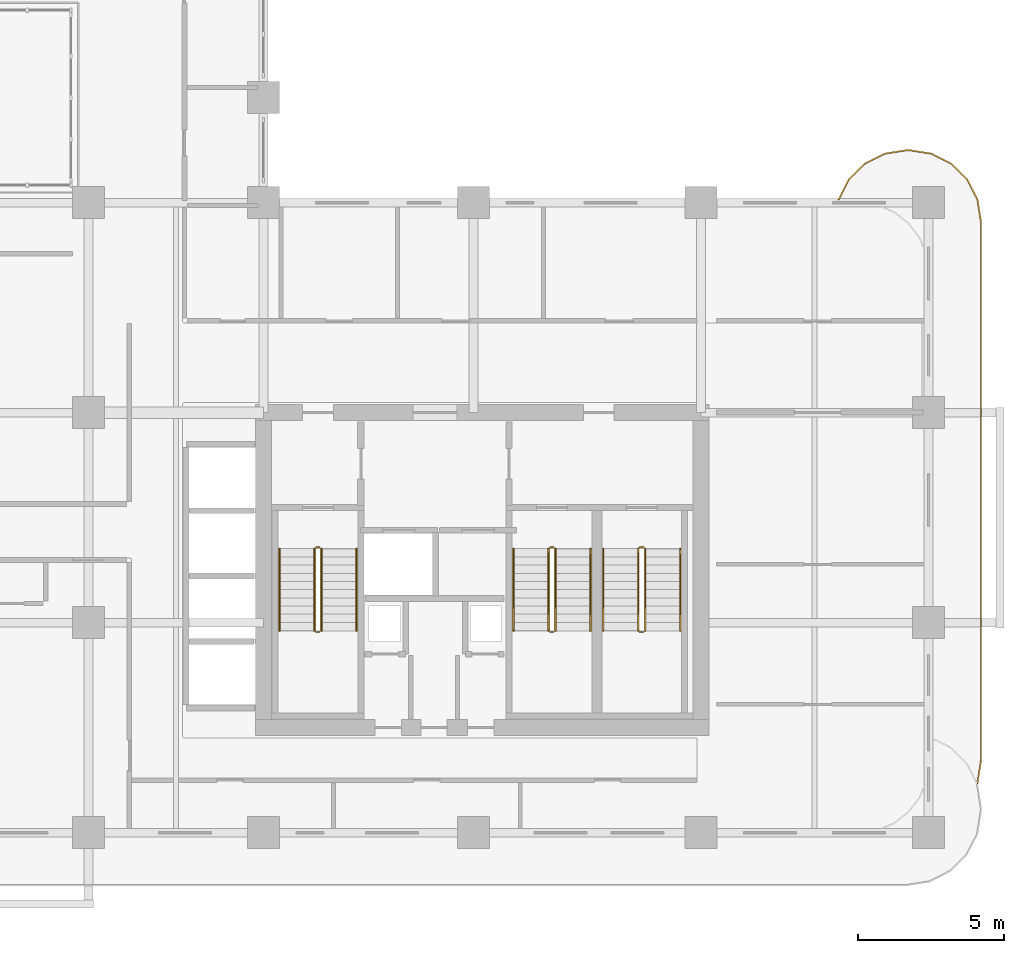
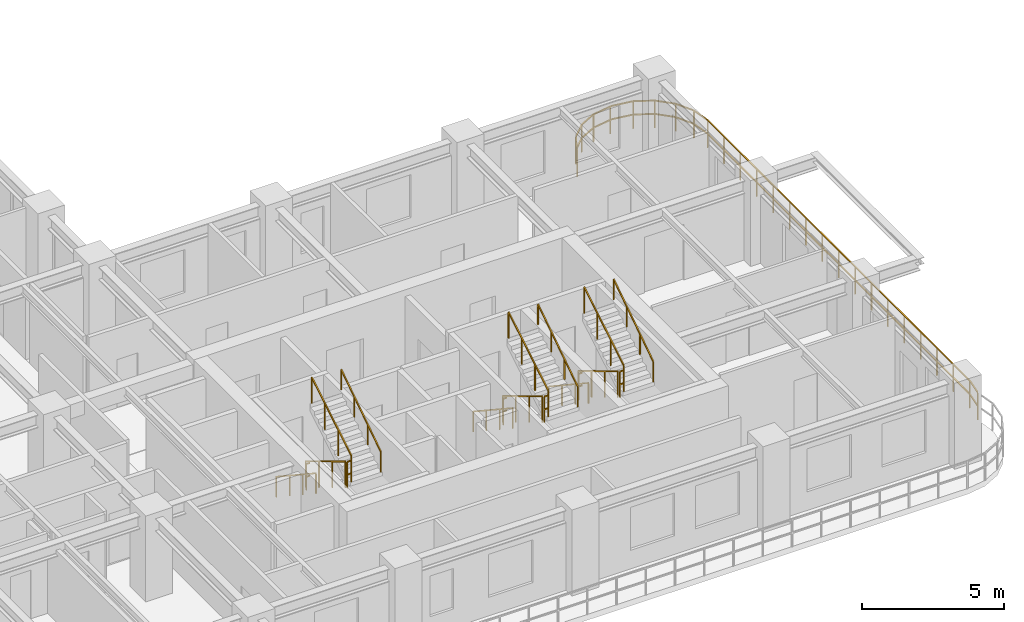
# One storey, part 20 of 22: 19 railings.
"""IFC4 building model written with IfcOpenShell, lengths in metres."""

from ifc_helpers import new_model, si_unit, derived_unit, direction, frame, origin, origin_2d, place, context, subcontext, project, spatial, rectangle, extrude, material, type_object, element, save


model = new_model("IFC4")

# Units and contexts
model_context = context("Model", 3, precision=1e-05, world=origin(), true_north=direction((0.0, 1.0)))
body_context = subcontext(model_context, "Body", "Model", "MODEL_VIEW")
ifc_project = project(units=[si_unit("LENGTHUNIT", "METRE"), si_unit("AREAUNIT", "SQUARE_METRE"), si_unit("VOLUMEUNIT", "CUBIC_METRE"), si_unit("PLANEANGLEUNIT", "RADIAN"), si_unit("MASSUNIT", "GRAM", prefix="KILO"), si_unit("THERMODYNAMICTEMPERATUREUNIT", "KELVIN"), si_unit("POWERUNIT", "WATT"), derived_unit("THERMALTRANSMITTANCEUNIT", [(si_unit("POWERUNIT", "WATT"), 1), (si_unit("AREAUNIT", "SQUARE_METRE"), -1), (si_unit("THERMODYNAMICTEMPERATUREUNIT", "KELVIN"), -1)])], contexts=[model_context])

# Site, building, storey
site_placement = place(None, origin())
site = spatial("IfcSite", under=ifc_project, at=site_placement, CompositionType="ELEMENT")
building_placement = place(site_placement, origin())
building = spatial("IfcBuilding", under=site, at=building_placement, Name="Zahravan Archway Hotel and Residences", CompositionType="ELEMENT")
storey_placement = place(building_placement, frame((0.0, 0.0, 80.5)))
storey = spatial("IfcBuildingStorey", under=building, at=storey_placement, Name="L19", CompositionType="ELEMENT", Elevation=80.5)

# Railings
ifc_material_1 = material(Name="Bronze & Laminated Glass Balustrade", Category="glass")
railing_type_1 = type_object("IfcRailingType", Name="RL-BAL-1200", PredefinedType="BALUSTRADE", material=ifc_material_1)
railing_1_placement = place(storey_placement, frame((54.52001953125, 21.70703125, 0.0)))
element("IfcRailing", 1, at=railing_1_placement, inside=storey, type_object=railing_type_1, Name="L19 Balustrade RL-SLB-BAL-L19-EA-1", PredefinedType="BALUSTRADE", context=body_context, shape_type="SweptSolid", body=[
    extrude(rectangle(XDim=0.048095703125, YDim=0.048095703125, at=origin_2d()), frame((0.0, 0.0, 1.17578125), z_axis=(0.453825591531, 0.891090529897, 0.0), x_axis=(-0.891090529897, 0.453825591531, 0.0)), (0.0, 0.0, 1.0), 0.7666015625),
    extrude(rectangle(XDim=0.048095703125, YDim=0.048095703125, at=origin_2d()), frame((0.0, 0.0, 0.60009765625), z_axis=(0.453825591531, 0.891090529897, 0.0), x_axis=(-0.891090529897, 0.453825591531, 0.0)), (0.0, 0.0, 1.0), 0.7666015625),
    extrude(rectangle(XDim=0.048095703125, YDim=0.048095703125, at=origin_2d()), frame((0.347900390625, 0.68310546875, 1.17578125), z_axis=(0.707106781187, 0.707106781187, 0.0), x_axis=(-0.707106781187, 0.707106781187, 0.0)), (0.0, 0.0, 1.0), 0.7666015625),
    extrude(rectangle(XDim=0.048095703125, YDim=0.048095703125, at=origin_2d()), frame((0.347900390625, 0.68310546875, 0.60009765625), z_axis=(0.707106781187, 0.707106781187, 0.0), x_axis=(-0.707106781187, 0.707106781187, 0.0)), (0.0, 0.0, 1.0), 0.7666015625),
    extrude(rectangle(XDim=0.048095703125, YDim=0.048095703125, at=origin_2d()), frame((0.889892578125, 1.22509765625, 1.17578125), z_axis=(0.891090529897, 0.453825591531, 0.0), x_axis=(-0.453825591531, 0.891090529897, 0.0)), (0.0, 0.0, 1.0), 0.7666015625),
    extrude(rectangle(XDim=0.048095703125, YDim=0.048095703125, at=origin_2d()), frame((0.889892578125, 1.22509765625, 0.60009765625), z_axis=(0.891090529897, 0.453825591531, 0.0), x_axis=(-0.453825591531, 0.891090529897, 0.0)), (0.0, 0.0, 1.0), 0.7666015625),
    extrude(rectangle(XDim=0.048095703125, YDim=0.048095703125, at=origin_2d()), frame((1.572998046875, 1.572998046875, 1.17578125), z_axis=(0.987695728695, 0.156387811283, 0.0), x_axis=(-0.156387811283, 0.987695728695, 0.0)), (0.0, 0.0, 1.0), 0.7666015625),
    extrude(rectangle(XDim=0.048095703125, YDim=0.048095703125, at=origin_2d()), frame((1.572998046875, 1.572998046875, 0.60009765625), z_axis=(0.987695728695, 0.156387811283, 0.0), x_axis=(-0.156387811283, 0.987695728695, 0.0)), (0.0, 0.0, 1.0), 0.7666015625),
    extrude(rectangle(XDim=0.048095703125, YDim=0.048095703125, at=origin_2d()), frame((2.330078125, 1.69287109375, 1.17578125), z_axis=(1.0, 0.0, 0.0), x_axis=(0.0, 1.0, 0.0)), (0.0, 0.0, 1.0), 0.099853515625),
    extrude(rectangle(XDim=0.048095703125, YDim=0.048095703125, at=origin_2d()), frame((2.330078125, 1.69287109375, 0.60009765625), z_axis=(1.0, 0.0, 0.0), x_axis=(0.0, 1.0, 0.0)), (0.0, 0.0, 1.0), 0.099853515625),
    extrude(rectangle(XDim=0.048095703125, YDim=0.048095703125, at=origin_2d()), frame((2.429931640625, 1.69287109375, 1.17578125), z_axis=(0.987695728695, -0.156387811283, 0.0), x_axis=(0.156387811283, 0.987695728695, 0.0)), (0.0, 0.0, 1.0), 0.7666015625),
    extrude(rectangle(XDim=0.048095703125, YDim=0.048095703125, at=origin_2d()), frame((2.429931640625, 1.69287109375, 0.60009765625), z_axis=(0.987695728695, -0.156387811283, 0.0), x_axis=(0.156387811283, 0.987695728695, 0.0)), (0.0, 0.0, 1.0), 0.7666015625),
    extrude(rectangle(XDim=0.048095703125, YDim=0.048095703125, at=origin_2d()), frame((3.18701171875, 1.572998046875, 1.17578125), z_axis=(0.891090529897, -0.453825591531, 0.0), x_axis=(0.453825591531, 0.891090529897, 0.0)), (0.0, 0.0, 1.0), 0.7666015625),
    extrude(rectangle(XDim=0.048095703125, YDim=0.048095703125, at=origin_2d()), frame((3.18701171875, 1.572998046875, 0.60009765625), z_axis=(0.891090529897, -0.453825591531, 0.0), x_axis=(0.453825591531, 0.891090529897, 0.0)), (0.0, 0.0, 1.0), 0.7666015625),
    extrude(rectangle(XDim=0.048095703125, YDim=0.048095703125, at=origin_2d()), frame((3.8701171875, 1.22509765625, 1.17578125), z_axis=(0.707106781187, -0.707106781187, 0.0), x_axis=(0.707106781187, 0.707106781187, 0.0)), (0.0, 0.0, 1.0), 0.7666015625),
    extrude(rectangle(XDim=0.048095703125, YDim=0.048095703125, at=origin_2d()), frame((3.8701171875, 1.22509765625, 0.60009765625), z_axis=(0.707106781187, -0.707106781187, 0.0), x_axis=(0.707106781187, 0.707106781187, 0.0)), (0.0, 0.0, 1.0), 0.7666015625),
    extrude(rectangle(XDim=0.048095703125, YDim=0.048095703125, at=origin_2d()), frame((4.412109375, 0.68310546875, 1.17578125), z_axis=(0.453825591531, -0.891090529897, 0.0), x_axis=(0.891090529897, 0.453825591531, 0.0)), (0.0, 0.0, 1.0), 0.7666015625),
    extrude(rectangle(XDim=0.048095703125, YDim=0.048095703125, at=origin_2d()), frame((4.412109375, 0.68310546875, 0.60009765625), z_axis=(0.453825591531, -0.891090529897, 0.0), x_axis=(0.891090529897, 0.453825591531, 0.0)), (0.0, 0.0, 1.0), 0.7666015625),
    extrude(rectangle(XDim=0.048095703125, YDim=0.048095703125, at=origin_2d()), frame((4.760009765625, 0.0, 1.17578125), z_axis=(0.156387811283, -0.987695728695, 0.0), x_axis=(0.987695728695, 0.156387811283, 0.0)), (0.0, 0.0, 1.0), 0.7666015625),
    extrude(rectangle(XDim=0.048095703125, YDim=0.048095703125, at=origin_2d()), frame((4.760009765625, 0.0, 0.60009765625), z_axis=(0.156387811283, -0.987695728695, 0.0), x_axis=(0.987695728695, 0.156387811283, 0.0)), (0.0, 0.0, 1.0), 0.7666015625),
    extrude(rectangle(XDim=0.048095703125, YDim=0.048095703125, at=origin_2d()), frame((4.8798828125, -0.757080078125, 1.17578125), z_axis=(0.0, -1.0, 0.0), x_axis=(1.0, 0.0, 0.0)), (0.0, 0.0, 1.0), 18.5),
    extrude(rectangle(XDim=0.048095703125, YDim=0.048095703125, at=origin_2d()), frame((4.8798828125, -0.757080078125, 0.60009765625), z_axis=(0.0, -1.0, 0.0), x_axis=(1.0, 0.0, 0.0)), (0.0, 0.0, 1.0), 18.5),
    extrude(rectangle(XDim=0.048095703125, YDim=0.048095703125, at=origin_2d()), frame((4.8798828125, -19.257080078125, 1.17578125), z_axis=(-0.156387811283, -0.987695728695, 0.0), x_axis=(0.987695728695, -0.156387811283, 0.0)), (0.0, 0.0, 1.0), 0.7666015625),
    extrude(rectangle(XDim=0.048095703125, YDim=0.048095703125, at=origin_2d()), frame((4.8798828125, -19.257080078125, 0.60009765625), z_axis=(-0.156387811283, -0.987695728695, 0.0), x_axis=(0.987695728695, -0.156387811283, 0.0)), (0.0, 0.0, 1.0), 0.7666015625),
    extrude(rectangle(XDim=0.0419921875, YDim=0.0419921875, at=origin_2d()), origin(), (0.0, 0.0, 1.0), 1.15185546875),
    extrude(rectangle(XDim=0.0419921875, YDim=0.0419921875, at=origin_2d()), frame((0.347900390625, 0.68310546875, 0.0)), (0.0, 0.0, 1.0), 1.15185546875),
    extrude(rectangle(XDim=0.0419921875, YDim=0.0419921875, at=origin_2d()), frame((0.889892578125, 1.22509765625, 0.0)), (0.0, 0.0, 1.0), 1.15185546875),
    extrude(rectangle(XDim=0.0419921875, YDim=0.0419921875, at=origin_2d()), frame((1.572998046875, 1.572998046875, 0.0)), (0.0, 0.0, 1.0), 1.15185546875),
    extrude(rectangle(XDim=0.0419921875, YDim=0.0419921875, at=origin_2d()), frame((2.330078125, 1.69287109375, 0.0)), (0.0, 0.0, 1.0), 1.15185546875),
    extrude(rectangle(XDim=0.0419921875, YDim=0.0419921875, at=origin_2d()), frame((3.18701171875, 1.572998046875, 0.0)), (0.0, 0.0, 1.0), 1.15185546875),
    extrude(rectangle(XDim=0.0419921875, YDim=0.0419921875, at=origin_2d()), frame((3.8701171875, 1.22509765625, 0.0)), (0.0, 0.0, 1.0), 1.15185546875),
    extrude(rectangle(XDim=0.0419921875, YDim=0.0419921875, at=origin_2d()), frame((4.412109375, 0.68310546875, 0.0)), (0.0, 0.0, 1.0), 1.15185546875),
    extrude(rectangle(XDim=0.0419921875, YDim=0.0419921875, at=origin_2d()), frame((4.760009765625, 0.0, 0.0)), (0.0, 0.0, 1.0), 1.15185546875),
    extrude(rectangle(XDim=0.0419921875, YDim=0.0419921875, at=origin_2d()), frame((4.8798828125, -0.757080078125, 0.0)), (0.0, 0.0, 1.0), 1.15185546875),
    extrude(rectangle(XDim=0.0419921875, YDim=0.0419921875, at=origin_2d()), frame((4.8798828125, -1.913330078125, 0.0)), (0.0, 0.0, 1.0), 1.15185546875),
    extrude(rectangle(XDim=0.0419921875, YDim=0.0419921875, at=origin_2d()), frame((4.8798828125, -3.069580078125, 0.0)), (0.0, 0.0, 1.0), 1.15185546875),
    extrude(rectangle(XDim=0.0419921875, YDim=0.0419921875, at=origin_2d()), frame((4.8798828125, -4.225830078125, 0.0)), (0.0, 0.0, 1.0), 1.15185546875),
    extrude(rectangle(XDim=0.0419921875, YDim=0.0419921875, at=origin_2d()), frame((4.8798828125, -5.382080078125, 0.0)), (0.0, 0.0, 1.0), 1.15185546875),
    extrude(rectangle(XDim=0.0419921875, YDim=0.0419921875, at=origin_2d()), frame((4.8798828125, -6.538330078125, 0.0)), (0.0, 0.0, 1.0), 1.15185546875),
    extrude(rectangle(XDim=0.0419921875, YDim=0.0419921875, at=origin_2d()), frame((4.8798828125, -7.694580078125, 0.0)), (0.0, 0.0, 1.0), 1.15185546875),
    extrude(rectangle(XDim=0.0419921875, YDim=0.0419921875, at=origin_2d()), frame((4.8798828125, -8.850830078125, 0.0)), (0.0, 0.0, 1.0), 1.15185546875),
    extrude(rectangle(XDim=0.0419921875, YDim=0.0419921875, at=origin_2d()), frame((4.8798828125, -10.007080078125, 0.0)), (0.0, 0.0, 1.0), 1.15185546875),
    extrude(rectangle(XDim=0.0419921875, YDim=0.0419921875, at=origin_2d()), frame((4.8798828125, -11.163330078125, 0.0)), (0.0, 0.0, 1.0), 1.15185546875),
    extrude(rectangle(XDim=0.0419921875, YDim=0.0419921875, at=origin_2d()), frame((4.8798828125, -12.319580078125, 0.0)), (0.0, 0.0, 1.0), 1.15185546875),
    extrude(rectangle(XDim=0.0419921875, YDim=0.0419921875, at=origin_2d()), frame((4.8798828125, -13.475830078125, 0.0)), (0.0, 0.0, 1.0), 1.15185546875),
    extrude(rectangle(XDim=0.0419921875, YDim=0.0419921875, at=origin_2d()), frame((4.8798828125, -14.632080078125, 0.0)), (0.0, 0.0, 1.0), 1.15185546875),
    extrude(rectangle(XDim=0.0419921875, YDim=0.0419921875, at=origin_2d()), frame((4.8798828125, -15.788330078125, 0.0)), (0.0, 0.0, 1.0), 1.15185546875),
    extrude(rectangle(XDim=0.0419921875, YDim=0.0419921875, at=origin_2d()), frame((4.8798828125, -16.944580078125, 0.0)), (0.0, 0.0, 1.0), 1.15185546875),
    extrude(rectangle(XDim=0.0419921875, YDim=0.0419921875, at=origin_2d()), frame((4.8798828125, -18.100830078125, 0.0)), (0.0, 0.0, 1.0), 1.15185546875),
    extrude(rectangle(XDim=0.0419921875, YDim=0.0419921875, at=origin_2d()), frame((4.8798828125, -19.257080078125, 0.0)), (0.0, 0.0, 1.0), 1.15185546875),
    extrude(rectangle(XDim=0.0419921875, YDim=0.0419921875, at=origin_2d()), frame((4.760009765625, -20.01416015625, 0.0)), (0.0, 0.0, 1.0), 1.15185546875),
])
ifc_material_2 = material(Name="Painted Tubular Steel", Category="steel")
railing_type_2 = type_object("IfcRailingType", Name="RL-STG-1150", PredefinedType="GUARDRAIL", material=ifc_material_2)
railing_2_placement = place(storey_placement, frame((36.550048828125, 9.72998046875, 0.168212890625)))
element("IfcRailing", 2, at=railing_2_placement, inside=storey, type_object=railing_type_2, Name="L19 ST-A1 stair guard 1", PredefinedType="GUARDRAIL", context=body_context, shape_type="SweptSolid", body=[
    extrude(rectangle(XDim=0.048095703125, YDim=0.048095703125, at=origin_2d()), frame((0.0, 0.0, 1.1259765625), z_axis=(0.0, -0.857242210791, 0.514913383045), x_axis=(1.0, 0.0, 0.0)), (0.0, 0.0, 1.0), 3.266357421875),
    extrude(rectangle(XDim=0.0419921875, YDim=0.0419921875, at=origin_2d()), origin(), (0.0, 0.0, 1.0), 1.101806640625),
    extrude(rectangle(XDim=0.0419921875, YDim=0.0419921875, at=origin_2d()), frame((0.0, -0.933349609375, 0.560546875)), (0.0, 0.0, 1.0), 1.101806640625),
    extrude(rectangle(XDim=0.0419921875, YDim=0.0419921875, at=origin_2d()), frame((0.0, -1.86669921875, 1.121337890625)), (0.0, 0.0, 1.0), 1.101806640625),
    extrude(rectangle(XDim=0.0419921875, YDim=0.0419921875, at=origin_2d()), frame((0.0, -2.800048828125, 1.681884765625)), (0.0, 0.0, 1.0), 1.101806640625),
])
railing_3_placement = place(storey_placement, frame((36.60009765625, 6.8798828125, 1.85009765625)))
element("IfcRailing", 3, at=railing_3_placement, inside=storey, type_object=railing_type_2, Name="L19 ST-A1 stair guard 2", PredefinedType="GUARDRAIL", context=body_context, shape_type="SweptSolid", body=[
    extrude(rectangle(XDim=0.048095703125, YDim=0.048095703125, at=origin_2d()), frame((0.0, 0.0, 1.1259765625), z_axis=(1.0, 0.0, 0.0), x_axis=(0.0, 1.0, 0.0)), (0.0, 0.0, 1.0), 0.139892578125),
    extrude(rectangle(XDim=0.048095703125, YDim=0.048095703125, at=origin_2d()), frame((0.0, 0.0, 0.574951171875), z_axis=(1.0, 0.0, 0.0), x_axis=(0.0, 1.0, 0.0)), (0.0, 0.0, 1.0), 0.139892578125),
    extrude(rectangle(XDim=0.0419921875, YDim=0.0419921875, at=origin_2d()), origin(), (0.0, 0.0, 1.0), 1.101806640625),
])
railing_4_placement = place(storey_placement, frame((36.7900390625, 6.929931640625, 2.01806640625)))
element("IfcRailing", 4, at=railing_4_placement, inside=storey, type_object=railing_type_2, Name="L19 ST-A1 stair guard 3", PredefinedType="GUARDRAIL", context=body_context, shape_type="SweptSolid", body=[
    extrude(rectangle(XDim=0.048095703125, YDim=0.048095703125, at=origin_2d()), frame((0.0, 0.0, 1.1259765625), z_axis=(0.0, 0.857242210791, 0.514913383045), x_axis=(-1.0, 0.0, 0.0)), (0.0, 0.0, 1.0), 3.266357421875),
    extrude(rectangle(XDim=0.0419921875, YDim=0.0419921875, at=origin_2d()), origin(), (0.0, 0.0, 1.0), 1.101806640625),
    extrude(rectangle(XDim=0.0419921875, YDim=0.0419921875, at=origin_2d()), frame((0.0, 0.933349609375, 0.560546875)), (0.0, 0.0, 1.0), 1.101806640625),
    extrude(rectangle(XDim=0.0419921875, YDim=0.0419921875, at=origin_2d()), frame((0.0, 1.86669921875, 1.121337890625)), (0.0, 0.0, 1.0), 1.101806640625),
    extrude(rectangle(XDim=0.0419921875, YDim=0.0419921875, at=origin_2d()), frame((0.0, 2.800048828125, 1.681884765625)), (0.0, 0.0, 1.0), 1.101806640625),
])
railing_5_placement = place(storey_placement, frame((36.60009765625, 9.780029296875, 0.0)))
element("IfcRailing", 5, at=railing_5_placement, inside=storey, type_object=railing_type_2, Name="L19 ST-A1 stair guard 4", PredefinedType="GUARDRAIL", context=body_context, shape_type="SweptSolid", body=[
    extrude(rectangle(XDim=0.048095703125, YDim=0.048095703125, at=origin_2d()), frame((0.0, 0.0, 1.1259765625), z_axis=(1.0, 0.0, 0.0), x_axis=(0.0, 1.0, 0.0)), (0.0, 0.0, 1.0), 0.139892578125),
    extrude(rectangle(XDim=0.048095703125, YDim=0.048095703125, at=origin_2d()), frame((0.0, 0.0, 0.574951171875), z_axis=(1.0, 0.0, 0.0), x_axis=(0.0, 1.0, 0.0)), (0.0, 0.0, 1.0), 0.139892578125),
    extrude(rectangle(XDim=0.0419921875, YDim=0.0419921875, at=origin_2d()), origin(), (0.0, 0.0, 1.0), 1.101806640625),
])
railing_6_placement = place(storey_placement, frame((44.570068359375, 9.72998046875, 0.168212890625)))
element("IfcRailing", 6, at=railing_6_placement, inside=storey, type_object=railing_type_2, Name="L19 ST-A2 stair guard 1", PredefinedType="GUARDRAIL", context=body_context, shape_type="SweptSolid", body=[
    extrude(rectangle(XDim=0.048095703125, YDim=0.048095703125, at=origin_2d()), frame((0.0, 0.0, 1.1259765625), z_axis=(0.0, -0.857242210791, 0.514913383045), x_axis=(1.0, 0.0, 0.0)), (0.0, 0.0, 1.0), 3.266357421875),
    extrude(rectangle(XDim=0.0419921875, YDim=0.0419921875, at=origin_2d()), origin(), (0.0, 0.0, 1.0), 1.101806640625),
    extrude(rectangle(XDim=0.0419921875, YDim=0.0419921875, at=origin_2d()), frame((0.0, -0.933349609375, 0.560546875)), (0.0, 0.0, 1.0), 1.101806640625),
    extrude(rectangle(XDim=0.0419921875, YDim=0.0419921875, at=origin_2d()), frame((0.0, -1.86669921875, 1.121337890625)), (0.0, 0.0, 1.0), 1.101806640625),
    extrude(rectangle(XDim=0.0419921875, YDim=0.0419921875, at=origin_2d()), frame((0.0, -2.800048828125, 1.681884765625)), (0.0, 0.0, 1.0), 1.101806640625),
])
railing_7_placement = place(storey_placement, frame((44.6201171875, 6.8798828125, 1.85009765625)))
element("IfcRailing", 7, at=railing_7_placement, inside=storey, type_object=railing_type_2, Name="L19 ST-A2 stair guard 2", PredefinedType="GUARDRAIL", context=body_context, shape_type="SweptSolid", body=[
    extrude(rectangle(XDim=0.048095703125, YDim=0.048095703125, at=origin_2d()), frame((0.0, 0.0, 1.1259765625), z_axis=(1.0, 0.0, 0.0), x_axis=(0.0, 1.0, 0.0)), (0.0, 0.0, 1.0), 0.139892578125),
    extrude(rectangle(XDim=0.048095703125, YDim=0.048095703125, at=origin_2d()), frame((0.0, 0.0, 0.574951171875), z_axis=(1.0, 0.0, 0.0), x_axis=(0.0, 1.0, 0.0)), (0.0, 0.0, 1.0), 0.139892578125),
    extrude(rectangle(XDim=0.0419921875, YDim=0.0419921875, at=origin_2d()), origin(), (0.0, 0.0, 1.0), 1.101806640625),
])
railing_8_placement = place(storey_placement, frame((44.81005859375, 6.929931640625, 2.01806640625)))
element("IfcRailing", 8, at=railing_8_placement, inside=storey, type_object=railing_type_2, Name="L19 ST-A2 stair guard 3", PredefinedType="GUARDRAIL", context=body_context, shape_type="SweptSolid", body=[
    extrude(rectangle(XDim=0.048095703125, YDim=0.048095703125, at=origin_2d()), frame((0.0, 0.0, 1.1259765625), z_axis=(0.0, 0.857242210791, 0.514913383045), x_axis=(-1.0, 0.0, 0.0)), (0.0, 0.0, 1.0), 3.266357421875),
    extrude(rectangle(XDim=0.0419921875, YDim=0.0419921875, at=origin_2d()), origin(), (0.0, 0.0, 1.0), 1.101806640625),
    extrude(rectangle(XDim=0.0419921875, YDim=0.0419921875, at=origin_2d()), frame((0.0, 0.933349609375, 0.560546875)), (0.0, 0.0, 1.0), 1.101806640625),
    extrude(rectangle(XDim=0.0419921875, YDim=0.0419921875, at=origin_2d()), frame((0.0, 1.86669921875, 1.121337890625)), (0.0, 0.0, 1.0), 1.101806640625),
    extrude(rectangle(XDim=0.0419921875, YDim=0.0419921875, at=origin_2d()), frame((0.0, 2.800048828125, 1.681884765625)), (0.0, 0.0, 1.0), 1.101806640625),
])
railing_9_placement = place(storey_placement, frame((44.6201171875, 9.780029296875, 0.0)))
element("IfcRailing", 9, at=railing_9_placement, inside=storey, type_object=railing_type_2, Name="L19 ST-A2 stair guard 4", PredefinedType="GUARDRAIL", context=body_context, shape_type="SweptSolid", body=[
    extrude(rectangle(XDim=0.048095703125, YDim=0.048095703125, at=origin_2d()), frame((0.0, 0.0, 1.1259765625), z_axis=(1.0, 0.0, 0.0), x_axis=(0.0, 1.0, 0.0)), (0.0, 0.0, 1.0), 0.139892578125),
    extrude(rectangle(XDim=0.048095703125, YDim=0.048095703125, at=origin_2d()), frame((0.0, 0.0, 0.574951171875), z_axis=(1.0, 0.0, 0.0), x_axis=(0.0, 1.0, 0.0)), (0.0, 0.0, 1.0), 0.139892578125),
    extrude(rectangle(XDim=0.0419921875, YDim=0.0419921875, at=origin_2d()), origin(), (0.0, 0.0, 1.0), 1.101806640625),
])
railing_10_placement = place(storey_placement, frame((47.64990234375, 9.72998046875, 0.168212890625)))
element("IfcRailing", 10, at=railing_10_placement, inside=storey, type_object=railing_type_2, Name="L19 ST-A3 stair guard 1", PredefinedType="GUARDRAIL", context=body_context, shape_type="SweptSolid", body=[
    extrude(rectangle(XDim=0.048095703125, YDim=0.048095703125, at=origin_2d()), frame((0.0, 0.0, 1.1259765625), z_axis=(0.0, -0.857242210791, 0.514913383045), x_axis=(1.0, 0.0, 0.0)), (0.0, 0.0, 1.0), 3.266357421875),
    extrude(rectangle(XDim=0.0419921875, YDim=0.0419921875, at=origin_2d()), origin(), (0.0, 0.0, 1.0), 1.101806640625),
    extrude(rectangle(XDim=0.0419921875, YDim=0.0419921875, at=origin_2d()), frame((0.0, -0.933349609375, 0.560546875)), (0.0, 0.0, 1.0), 1.101806640625),
    extrude(rectangle(XDim=0.0419921875, YDim=0.0419921875, at=origin_2d()), frame((0.0, -1.86669921875, 1.121337890625)), (0.0, 0.0, 1.0), 1.101806640625),
    extrude(rectangle(XDim=0.0419921875, YDim=0.0419921875, at=origin_2d()), frame((0.0, -2.800048828125, 1.681884765625)), (0.0, 0.0, 1.0), 1.101806640625),
])
railing_11_placement = place(storey_placement, frame((47.699951171875, 6.8798828125, 1.85009765625)))
element("IfcRailing", 11, at=railing_11_placement, inside=storey, type_object=railing_type_2, Name="L19 ST-A3 stair guard 2", PredefinedType="GUARDRAIL", context=body_context, shape_type="SweptSolid", body=[
    extrude(rectangle(XDim=0.048095703125, YDim=0.048095703125, at=origin_2d()), frame((0.0, 0.0, 1.1259765625), z_axis=(1.0, 0.0, 0.0), x_axis=(0.0, 1.0, 0.0)), (0.0, 0.0, 1.0), 0.14013671875),
    extrude(rectangle(XDim=0.048095703125, YDim=0.048095703125, at=origin_2d()), frame((0.0, 0.0, 0.574951171875), z_axis=(1.0, 0.0, 0.0), x_axis=(0.0, 1.0, 0.0)), (0.0, 0.0, 1.0), 0.14013671875),
    extrude(rectangle(XDim=0.0419921875, YDim=0.0419921875, at=origin_2d()), origin(), (0.0, 0.0, 1.0), 1.101806640625),
])
railing_12_placement = place(storey_placement, frame((47.889892578125, 6.929931640625, 2.01806640625)))
element("IfcRailing", 12, at=railing_12_placement, inside=storey, type_object=railing_type_2, Name="L19 ST-A3 stair guard 3", PredefinedType="GUARDRAIL", context=body_context, shape_type="SweptSolid", body=[
    extrude(rectangle(XDim=0.048095703125, YDim=0.048095703125, at=origin_2d()), frame((0.0, 0.0, 1.1259765625), z_axis=(0.0, 0.857242210791, 0.514913383045), x_axis=(-1.0, 0.0, 0.0)), (0.0, 0.0, 1.0), 3.266357421875),
    extrude(rectangle(XDim=0.0419921875, YDim=0.0419921875, at=origin_2d()), origin(), (0.0, 0.0, 1.0), 1.101806640625),
    extrude(rectangle(XDim=0.0419921875, YDim=0.0419921875, at=origin_2d()), frame((0.0, 0.933349609375, 0.560546875)), (0.0, 0.0, 1.0), 1.101806640625),
    extrude(rectangle(XDim=0.0419921875, YDim=0.0419921875, at=origin_2d()), frame((0.0, 1.86669921875, 1.121337890625)), (0.0, 0.0, 1.0), 1.101806640625),
    extrude(rectangle(XDim=0.0419921875, YDim=0.0419921875, at=origin_2d()), frame((0.0, 2.800048828125, 1.681884765625)), (0.0, 0.0, 1.0), 1.101806640625),
])
railing_13_placement = place(storey_placement, frame((47.699951171875, 9.780029296875, 0.0)))
element("IfcRailing", 13, at=railing_13_placement, inside=storey, type_object=railing_type_2, Name="L19 ST-A3 stair guard 4", PredefinedType="GUARDRAIL", context=body_context, shape_type="SweptSolid", body=[
    extrude(rectangle(XDim=0.048095703125, YDim=0.048095703125, at=origin_2d()), frame((0.0, 0.0, 1.1259765625), z_axis=(1.0, 0.0, 0.0), x_axis=(0.0, 1.0, 0.0)), (0.0, 0.0, 1.0), 0.14013671875),
    extrude(rectangle(XDim=0.048095703125, YDim=0.048095703125, at=origin_2d()), frame((0.0, 0.0, 0.574951171875), z_axis=(1.0, 0.0, 0.0), x_axis=(0.0, 1.0, 0.0)), (0.0, 0.0, 1.0), 0.14013671875),
    extrude(rectangle(XDim=0.0419921875, YDim=0.0419921875, at=origin_2d()), origin(), (0.0, 0.0, 1.0), 1.101806640625),
])
ifc_material_3 = material(Name="Brushed Stainless Steel", Category="steel")
railing_type_3 = type_object("IfcRailingType", Name="RL-STH-900", PredefinedType="HANDRAIL", material=ifc_material_3)
railing_14_placement = place(storey_placement, frame((35.35009765625, 9.72998046875, 0.168212890625)))
element("IfcRailing", 14, at=railing_14_placement, inside=storey, type_object=railing_type_3, Name="L19 ST-A1 stair handrail 1", PredefinedType="HANDRAIL", context=body_context, shape_type="SweptSolid", body=[
    extrude(rectangle(XDim=0.048095703125, YDim=0.048095703125, at=origin_2d()), frame((0.0, 0.0, 0.8759765625), z_axis=(0.0, -0.83435981716, 0.551220187865), x_axis=(1.0, 0.0, 0.0)), (0.0, 0.0, 1.0), 3.35595703125),
    extrude(rectangle(XDim=0.0419921875, YDim=0.0419921875, at=origin_2d()), origin(), (0.0, 0.0, 1.0), 0.851806640625),
    extrude(rectangle(XDim=0.0419921875, YDim=0.0419921875, at=origin_2d()), frame((0.0, -0.933349609375, 0.61669921875)), (0.0, 0.0, 1.0), 0.851806640625),
    extrude(rectangle(XDim=0.0419921875, YDim=0.0419921875, at=origin_2d()), frame((0.0, -1.86669921875, 1.233154296875)), (0.0, 0.0, 1.0), 0.851806640625),
    extrude(rectangle(XDim=0.0419921875, YDim=0.0419921875, at=origin_2d()), frame((0.0, -2.800048828125, 1.849853515625)), (0.0, 0.0, 1.0), 0.851806640625),
])
railing_15_placement = place(storey_placement, frame((37.989990234375, 6.929931640625, 2.01806640625)))
element("IfcRailing", 15, at=railing_15_placement, inside=storey, type_object=railing_type_3, Name="L19 ST-A1 stair handrail 2", PredefinedType="HANDRAIL", context=body_context, shape_type="SweptSolid", body=[
    extrude(rectangle(XDim=0.048095703125, YDim=0.048095703125, at=origin_2d()), frame((0.0, 0.0, 0.8759765625), z_axis=(0.0, 0.834326358476, 0.551270829586), x_axis=(-1.0, 0.0, 0.0)), (0.0, 0.0, 1.0), 3.35595703125),
    extrude(rectangle(XDim=0.0419921875, YDim=0.0419921875, at=origin_2d()), origin(), (0.0, 0.0, 1.0), 0.851806640625),
    extrude(rectangle(XDim=0.0419921875, YDim=0.0419921875, at=origin_2d()), frame((0.0, 0.933349609375, 0.61669921875)), (0.0, 0.0, 1.0), 0.851806640625),
    extrude(rectangle(XDim=0.0419921875, YDim=0.0419921875, at=origin_2d()), frame((0.0, 1.86669921875, 1.2333984375)), (0.0, 0.0, 1.0), 0.851806640625),
    extrude(rectangle(XDim=0.0419921875, YDim=0.0419921875, at=origin_2d()), frame((0.0, 2.800048828125, 1.85009765625)), (0.0, 0.0, 1.0), 0.851806640625),
])
railing_16_placement = place(storey_placement, frame((43.3701171875, 9.72998046875, 0.168212890625)))
element("IfcRailing", 16, at=railing_16_placement, inside=storey, type_object=railing_type_3, Name="L19 ST-A2 stair handrail 1", PredefinedType="HANDRAIL", context=body_context, shape_type="SweptSolid", body=[
    extrude(rectangle(XDim=0.048095703125, YDim=0.048095703125, at=origin_2d()), frame((0.0, 0.0, 0.8759765625), z_axis=(0.0, -0.83435981716, 0.551220187865), x_axis=(1.0, 0.0, 0.0)), (0.0, 0.0, 1.0), 3.35595703125),
    extrude(rectangle(XDim=0.0419921875, YDim=0.0419921875, at=origin_2d()), origin(), (0.0, 0.0, 1.0), 0.851806640625),
    extrude(rectangle(XDim=0.0419921875, YDim=0.0419921875, at=origin_2d()), frame((0.0, -0.933349609375, 0.61669921875)), (0.0, 0.0, 1.0), 0.851806640625),
    extrude(rectangle(XDim=0.0419921875, YDim=0.0419921875, at=origin_2d()), frame((0.0, -1.86669921875, 1.233154296875)), (0.0, 0.0, 1.0), 0.851806640625),
    extrude(rectangle(XDim=0.0419921875, YDim=0.0419921875, at=origin_2d()), frame((0.0, -2.800048828125, 1.849853515625)), (0.0, 0.0, 1.0), 0.851806640625),
])
railing_17_placement = place(storey_placement, frame((46.010009765625, 6.929931640625, 2.01806640625)))
element("IfcRailing", 17, at=railing_17_placement, inside=storey, type_object=railing_type_3, Name="L19 ST-A2 stair handrail 2", PredefinedType="HANDRAIL", context=body_context, shape_type="SweptSolid", body=[
    extrude(rectangle(XDim=0.048095703125, YDim=0.048095703125, at=origin_2d()), frame((0.0, 0.0, 0.8759765625), z_axis=(0.0, 0.834326358476, 0.551270829586), x_axis=(-1.0, 0.0, 0.0)), (0.0, 0.0, 1.0), 3.35595703125),
    extrude(rectangle(XDim=0.0419921875, YDim=0.0419921875, at=origin_2d()), origin(), (0.0, 0.0, 1.0), 0.851806640625),
    extrude(rectangle(XDim=0.0419921875, YDim=0.0419921875, at=origin_2d()), frame((0.0, 0.933349609375, 0.61669921875)), (0.0, 0.0, 1.0), 0.851806640625),
    extrude(rectangle(XDim=0.0419921875, YDim=0.0419921875, at=origin_2d()), frame((0.0, 1.86669921875, 1.2333984375)), (0.0, 0.0, 1.0), 0.851806640625),
    extrude(rectangle(XDim=0.0419921875, YDim=0.0419921875, at=origin_2d()), frame((0.0, 2.800048828125, 1.85009765625)), (0.0, 0.0, 1.0), 0.851806640625),
])
railing_18_placement = place(storey_placement, frame((46.449951171875, 9.72998046875, 0.168212890625)))
element("IfcRailing", 18, at=railing_18_placement, inside=storey, type_object=railing_type_3, Name="L19 ST-A3 stair handrail 1", PredefinedType="HANDRAIL", context=body_context, shape_type="SweptSolid", body=[
    extrude(rectangle(XDim=0.048095703125, YDim=0.048095703125, at=origin_2d()), frame((0.0, 0.0, 0.8759765625), z_axis=(0.0, -0.83435981716, 0.551220187865), x_axis=(1.0, 0.0, 0.0)), (0.0, 0.0, 1.0), 3.35595703125),
    extrude(rectangle(XDim=0.0419921875, YDim=0.0419921875, at=origin_2d()), origin(), (0.0, 0.0, 1.0), 0.851806640625),
    extrude(rectangle(XDim=0.0419921875, YDim=0.0419921875, at=origin_2d()), frame((0.0, -0.933349609375, 0.61669921875)), (0.0, 0.0, 1.0), 0.851806640625),
    extrude(rectangle(XDim=0.0419921875, YDim=0.0419921875, at=origin_2d()), frame((0.0, -1.86669921875, 1.233154296875)), (0.0, 0.0, 1.0), 0.851806640625),
    extrude(rectangle(XDim=0.0419921875, YDim=0.0419921875, at=origin_2d()), frame((0.0, -2.800048828125, 1.849853515625)), (0.0, 0.0, 1.0), 0.851806640625),
])
railing_19_placement = place(storey_placement, frame((49.090087890625, 6.929931640625, 2.01806640625)))
element("IfcRailing", 19, at=railing_19_placement, inside=storey, type_object=railing_type_3, Name="L19 ST-A3 stair handrail 2", PredefinedType="HANDRAIL", context=body_context, shape_type="SweptSolid", body=[
    extrude(rectangle(XDim=0.048095703125, YDim=0.048095703125, at=origin_2d()), frame((0.0, 0.0, 0.8759765625), z_axis=(0.0, 0.834326358476, 0.551270829586), x_axis=(-1.0, 0.0, 0.0)), (0.0, 0.0, 1.0), 3.35595703125),
    extrude(rectangle(XDim=0.0419921875, YDim=0.0419921875, at=origin_2d()), origin(), (0.0, 0.0, 1.0), 0.851806640625),
    extrude(rectangle(XDim=0.0419921875, YDim=0.0419921875, at=origin_2d()), frame((0.0, 0.933349609375, 0.61669921875)), (0.0, 0.0, 1.0), 0.851806640625),
    extrude(rectangle(XDim=0.0419921875, YDim=0.0419921875, at=origin_2d()), frame((0.0, 1.86669921875, 1.2333984375)), (0.0, 0.0, 1.0), 0.851806640625),
    extrude(rectangle(XDim=0.0419921875, YDim=0.0419921875, at=origin_2d()), frame((0.0, 2.800048828125, 1.85009765625)), (0.0, 0.0, 1.0), 0.851806640625),
])

save(model, "model.ifc")
